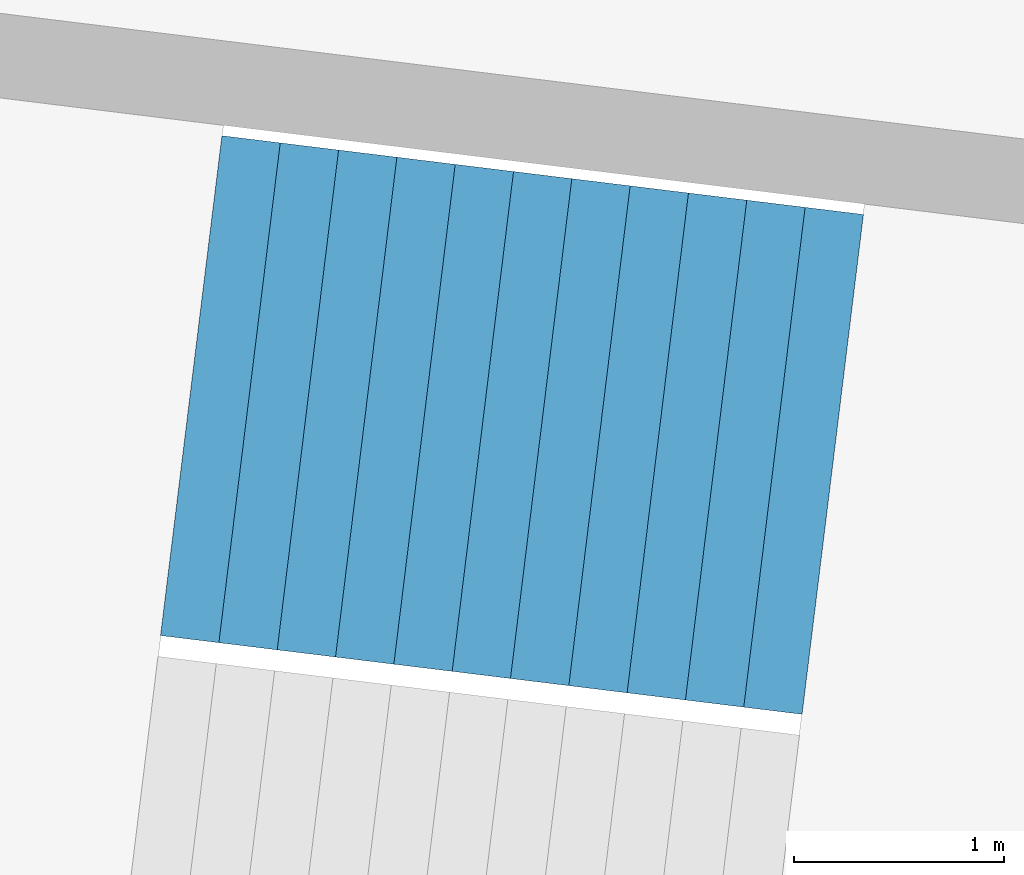
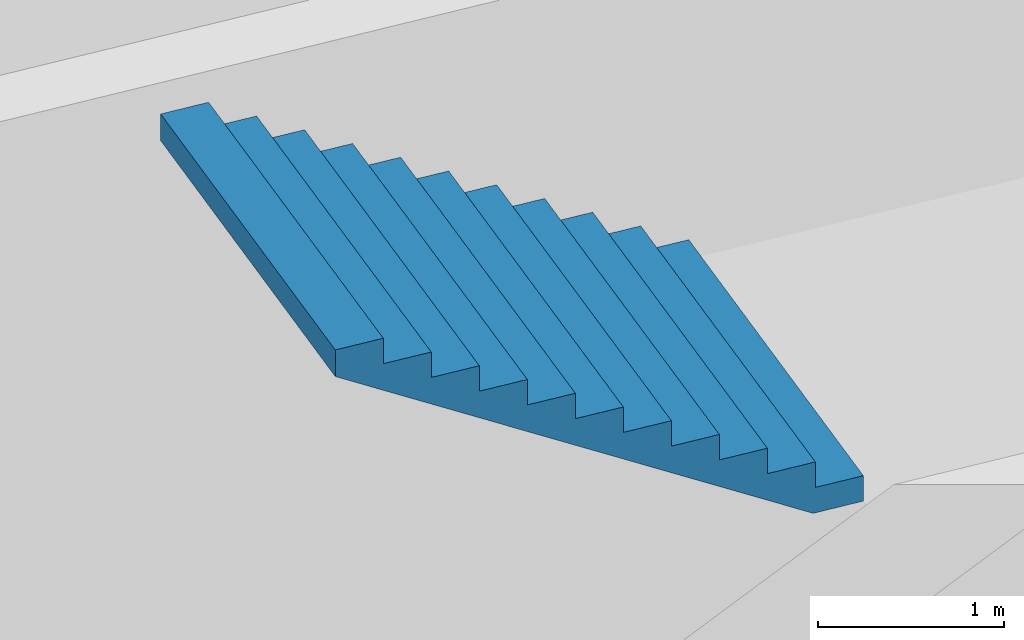
# One storey, part 57 of 74: 1 stair flight, 1 element without a shape of its own.
"""IFC4 building model written with IfcOpenShell, lengths in metres."""

from ifc_helpers import new_model, si_unit, direction, frame, origin, place, context, subcontext, project, spatial, triangles, material, type_object, element, aggregate, save


model = new_model("IFC4")

# Units and contexts
model_context = context("Model", 3, precision=1e-05, world=origin(), true_north=direction((0.0, 1.0)))
body_context = subcontext(model_context, "Body", "Model", "MODEL_VIEW")
ifc_project = project(units=[si_unit("LENGTHUNIT", "METRE"), si_unit("AREAUNIT", "SQUARE_METRE"), si_unit("VOLUMEUNIT", "CUBIC_METRE"), si_unit("PLANEANGLEUNIT", "RADIAN"), si_unit("MASSUNIT", "GRAM", prefix="KILO")], contexts=[model_context])

# Site, building, storey
site_placement = place(None, origin())
site = spatial("IfcSite", under=ifc_project, at=site_placement, CompositionType="ELEMENT")
building_placement = place(site_placement, origin())
building = spatial("IfcBuilding", under=site, at=building_placement, Name="Lantaw Convention Tower", CompositionType="ELEMENT")
storey_placement = place(building_placement, frame((0.0, 0.0, 6.5)))
storey = spatial("IfcBuildingStorey", under=building, at=storey_placement, Name="L01", CompositionType="ELEMENT", Elevation=6.5)

# Stair, stair flight
ifc_material = material(Name="Concrete C35/45", Category="concrete")
stair_type = type_object("IfcStairType", Name="Exit stair 2400 riser 166.67 in 4 flights", PredefinedType="HALF_TURN_STAIR", material=ifc_material)
stair_placement = place(storey_placement, origin())
stair = element("IfcStair", 1, at=stair_placement, inside=storey, type_object=stair_type, Name="Podium exit stair P13 L01", PredefinedType="HALF_TURN_STAIR")
stair_flight_type = type_object("IfcStairFlightType", Name="Stair flight 2400 riser 166.67", PredefinedType="STRAIGHT", material=ifc_material)
stair_flight_placement = place(storey_placement, frame((38.21923828125, -3.433349609375, 6.0), z_axis=(0.0, 0.0, 1.0), x_axis=(-0.992546151641, 0.121869343405, 0.0)))
stair_flight = element("IfcStairFlight", 2, at=stair_flight_placement, type_object=stair_flight_type, Name="P13 flight 4", NumberOfRisers=12, NumberOfTreads=11, PredefinedType="STRAIGHT", RiserHeight=0.166666667, TreadLength=0.28, context=body_context, shape_type="Tessellation", body=[
    triangles([(0.0, 1.199951171875, 0.0), (0.0, 1.199951171875, 0.166666667), (0.28, 1.199951171875, 0.0), (0.28, 1.199951171875, 0.166666667), (0.28, 1.199951171875, 0.333333334), (0.29307345806906726, 1.199951171875, 0.0), (0.29307345806906726, 1.199951171875, 0.333333334), (0.56, 1.199951171875, 0.15888484670522965), (0.56, 1.199951171875, 0.333333334), (0.56, 1.199951171875, 0.500000001), (0.8400000000000001, 1.199951171875, 0.3255515137052296), (0.8400000000000001, 1.199951171875, 0.500000001), (0.8400000000000001, 1.199951171875, 0.666666668), (1.12, 1.199951171875, 0.4922181807052296), (1.12, 1.199951171875, 0.666666668), (1.12, 1.199951171875, 0.833333335), (1.4000000000000001, 1.199951171875, 0.6588848477052296), (1.4000000000000001, 1.199951171875, 0.833333335), (1.4000000000000001, 1.199951171875, 1.000000002), (1.6800000000000002, 1.199951171875, 0.8255515147052296), (1.6800000000000002, 1.199951171875, 1.000000002), (1.6800000000000002, 1.199951171875, 1.166666669), (1.9600000000000002, 1.199951171875, 0.9922181817052296), (1.9600000000000002, 1.199951171875, 1.166666669), (1.9600000000000002, 1.199951171875, 1.333333336), (2.24, 1.199951171875, 1.1588848487052295), (2.24, 1.199951171875, 1.333333336), (2.24, 1.199951171875, 1.5000000029999998), (2.5200000000000005, 1.199951171875, 1.3255515157052296), (2.5200000000000005, 1.199951171875, 1.5000000029999998), (2.5200000000000005, 1.199951171875, 1.66666667), (2.8000000000000003, 1.199951171875, 1.4922181827052294), (2.8000000000000003, 1.199951171875, 1.66666667), (2.8000000000000003, 1.199951171875, 1.833333337), (3.08, 1.199951171875, 1.6588848497052293), (3.08, 1.199951171875, 1.833333337), (0.0, -1.199951171875, 0.0), (0.0, -1.199951171875, 0.166666667), (0.28, -1.199951171875, 0.0), (0.28, -1.199951171875, 0.166666667), (0.28, -1.199951171875, 0.333333334), (0.29307345806906726, -1.199951171875, 0.0), (0.29307345806906726, -1.199951171875, 0.333333334), (0.56, -1.199951171875, 0.15888484670522965), (0.56, -1.199951171875, 0.333333334), (0.56, -1.199951171875, 0.500000001), (0.8400000000000001, -1.199951171875, 0.3255515137052296), (0.8400000000000001, -1.199951171875, 0.500000001), (0.8400000000000001, -1.199951171875, 0.666666668), (1.12, -1.199951171875, 0.4922181807052296), (1.12, -1.199951171875, 0.666666668), (1.12, -1.199951171875, 0.833333335), (1.4000000000000001, -1.199951171875, 0.6588848477052296), (1.4000000000000001, -1.199951171875, 0.833333335), (1.4000000000000001, -1.199951171875, 1.000000002), (1.6800000000000002, -1.199951171875, 0.8255515147052296), (1.6800000000000002, -1.199951171875, 1.000000002), (1.6800000000000002, -1.199951171875, 1.166666669), (1.9600000000000002, -1.199951171875, 0.9922181817052296), (1.9600000000000002, -1.199951171875, 1.166666669), (1.9600000000000002, -1.199951171875, 1.333333336), (2.24, -1.199951171875, 1.1588848487052295), (2.24, -1.199951171875, 1.333333336), (2.24, -1.199951171875, 1.5000000029999998), (2.5200000000000005, -1.199951171875, 1.3255515157052296), (2.5200000000000005, -1.199951171875, 1.5000000029999998), (2.5200000000000005, -1.199951171875, 1.66666667), (2.8000000000000003, -1.199951171875, 1.4922181827052294), (2.8000000000000003, -1.199951171875, 1.66666667), (2.8000000000000003, -1.199951171875, 1.833333337), (3.08, -1.199951171875, 1.6588848497052293), (3.08, -1.199951171875, 1.833333337), (0.0, 0.239990234375, 0.166666667), (0.0, 0.239990234375, 0.0), (0.0, 0.1199951171875, 0.166666667), (0.0, 0.1199951171875, 0.0), (0.0, 0.0, 0.166666667), (0.0, 0.0, 0.0), (0.0, -0.1199951171875, 0.166666667), (0.0, -0.1199951171875, 0.0), (0.0, -0.239990234375, 0.166666667), (0.0, -0.239990234375, 0.0), (0.28, 0.239990234375, 0.333333334), (0.28, 0.239990234375, 0.166666667), (0.28, 0.1199951171875, 0.333333334), (0.28, 0.1199951171875, 0.166666667), (0.28, 0.0, 0.333333334), (0.28, 0.0, 0.166666667), (0.28, -0.1199951171875, 0.333333334), (0.28, -0.1199951171875, 0.166666667), (0.28, -0.239990234375, 0.333333334), (0.28, -0.239990234375, 0.166666667), (0.56, 0.239990234375, 0.500000001), (0.56, 0.239990234375, 0.333333334), (0.56, 0.1199951171875, 0.500000001), (0.56, 0.1199951171875, 0.333333334), (0.56, 0.0, 0.500000001), (0.56, 0.0, 0.333333334), (0.56, -0.1199951171875, 0.500000001), (0.56, -0.1199951171875, 0.333333334), (0.56, -0.239990234375, 0.500000001), (0.56, -0.239990234375, 0.333333334), (0.8400000000000001, 0.239990234375, 0.666666668), (0.8400000000000001, 0.239990234375, 0.500000001), (0.8400000000000001, 0.1199951171875, 0.666666668), (0.8400000000000001, 0.1199951171875, 0.500000001), (0.8400000000000001, 0.0, 0.666666668), (0.8400000000000001, 0.0, 0.500000001), (0.8400000000000001, -0.1199951171875, 0.666666668), (0.8400000000000001, -0.1199951171875, 0.500000001), (0.8400000000000001, -0.239990234375, 0.666666668), (0.8400000000000001, -0.239990234375, 0.500000001), (1.12, 0.239990234375, 0.833333335), (1.12, 0.239990234375, 0.666666668), (1.12, 0.1199951171875, 0.833333335), (1.12, 0.1199951171875, 0.666666668), (1.12, 0.0, 0.833333335), (1.12, 0.0, 0.666666668), (1.12, -0.1199951171875, 0.833333335), (1.12, -0.1199951171875, 0.666666668), (1.12, -0.239990234375, 0.833333335), (1.12, -0.239990234375, 0.666666668), (1.4000000000000001, 0.239990234375, 1.000000002), (1.4000000000000001, 0.239990234375, 0.833333335), (1.4000000000000001, 0.1199951171875, 1.000000002), (1.4000000000000001, 0.1199951171875, 0.833333335), (1.4000000000000001, 0.0, 1.000000002), (1.4000000000000001, 0.0, 0.833333335), (1.4000000000000001, -0.1199951171875, 1.000000002), (1.4000000000000001, -0.1199951171875, 0.833333335), (1.4000000000000001, -0.239990234375, 1.000000002), (1.4000000000000001, -0.239990234375, 0.833333335), (1.6800000000000002, 0.239990234375, 1.166666669), (1.6800000000000002, 0.239990234375, 1.000000002), (1.6800000000000002, 0.1199951171875, 1.166666669), (1.6800000000000002, 0.1199951171875, 1.000000002), (1.6800000000000002, 0.0, 1.166666669), (1.6800000000000002, 0.0, 1.000000002), (1.6800000000000002, -0.1199951171875, 1.166666669), (1.6800000000000002, -0.1199951171875, 1.000000002), (1.6800000000000002, -0.239990234375, 1.166666669), (1.6800000000000002, -0.239990234375, 1.000000002), (1.9600000000000002, 0.239990234375, 1.333333336), (1.9600000000000002, 0.239990234375, 1.166666669), (1.9600000000000002, 0.1199951171875, 1.333333336), (1.9600000000000002, 0.1199951171875, 1.166666669), (1.9600000000000002, 0.0, 1.333333336), (1.9600000000000002, 0.0, 1.166666669), (1.9600000000000002, -0.1199951171875, 1.333333336), (1.9600000000000002, -0.1199951171875, 1.166666669), (1.9600000000000002, -0.239990234375, 1.333333336), (1.9600000000000002, -0.239990234375, 1.166666669), (2.24, 0.239990234375, 1.5000000029999998), (2.24, 0.239990234375, 1.333333336), (2.24, 0.1199951171875, 1.5000000029999998), (2.24, 0.1199951171875, 1.333333336), (2.24, 0.0, 1.5000000029999998), (2.24, 0.0, 1.333333336), (2.24, -0.1199951171875, 1.5000000029999998), (2.24, -0.1199951171875, 1.333333336), (2.24, -0.239990234375, 1.5000000029999998), (2.24, -0.239990234375, 1.333333336), (2.5200000000000005, 0.239990234375, 1.66666667), (2.5200000000000005, 0.239990234375, 1.5000000029999998), (2.5200000000000005, 0.1199951171875, 1.66666667), (2.5200000000000005, 0.1199951171875, 1.5000000029999998), (2.5200000000000005, 0.0, 1.66666667), (2.5200000000000005, 0.0, 1.5000000029999998), (2.5200000000000005, -0.1199951171875, 1.66666667), (2.5200000000000005, -0.1199951171875, 1.5000000029999998), (2.5200000000000005, -0.239990234375, 1.66666667), (2.5200000000000005, -0.239990234375, 1.5000000029999998), (2.8000000000000003, 0.239990234375, 1.833333337), (2.8000000000000003, 0.239990234375, 1.66666667), (2.8000000000000003, 0.1199951171875, 1.833333337), (2.8000000000000003, 0.1199951171875, 1.66666667), (2.8000000000000003, 0.0, 1.833333337), (2.8000000000000003, 0.0, 1.66666667), (2.8000000000000003, -0.1199951171875, 1.833333337), (2.8000000000000003, -0.1199951171875, 1.66666667), (2.8000000000000003, -0.239990234375, 1.833333337), (2.8000000000000003, -0.239990234375, 1.66666667), (0.29307345806906726, 0.239990234375, 0.333333334), (0.29307345806906726, 0.1199951171875, 0.333333334), (0.29307345806906726, 0.0, 0.333333334), (0.29307345806906726, -0.1199951171875, 0.333333334), (0.29307345806906726, -0.239990234375, 0.333333334), (3.08, 0.239990234375, 1.833333337), (3.08, 0.1199951171875, 1.833333337), (3.08, 0.0, 1.833333337), (3.08, -0.1199951171875, 1.833333337), (3.08, -0.239990234375, 1.833333337), (3.08, 0.239990234375, 1.6588848497052293), (3.08, 0.1199951171875, 1.6588848497052293), (3.08, 0.0, 1.6588848497052293), (3.08, -0.1199951171875, 1.6588848497052293), (3.08, -0.239990234375, 1.6588848497052293), (2.8000000000000003, 0.239990234375, 1.4922181827052294), (2.8000000000000003, 0.1199951171875, 1.4922181827052294), (2.8000000000000003, 0.0, 1.4922181827052294), (2.8000000000000003, -0.1199951171875, 1.4922181827052294), (2.8000000000000003, -0.239990234375, 1.4922181827052294), (2.5200000000000005, 0.239990234375, 1.3255515157052296), (2.5200000000000005, 0.1199951171875, 1.3255515157052296), (2.5200000000000005, 0.0, 1.3255515157052296), (2.5200000000000005, -0.1199951171875, 1.3255515157052296), (2.5200000000000005, -0.239990234375, 1.3255515157052296), (2.24, 0.239990234375, 1.1588848487052295), (2.24, 0.1199951171875, 1.1588848487052295), (2.24, 0.0, 1.1588848487052295), (2.24, -0.1199951171875, 1.1588848487052295), (2.24, -0.239990234375, 1.1588848487052295), (1.9600000000000002, 0.239990234375, 0.9922181817052296), (1.9600000000000002, 0.1199951171875, 0.9922181817052296), (1.9600000000000002, 0.0, 0.9922181817052296), (1.9600000000000002, -0.1199951171875, 0.9922181817052296), (1.9600000000000002, -0.239990234375, 0.9922181817052296), (1.6800000000000002, 0.239990234375, 0.8255515147052296), (1.6800000000000002, 0.1199951171875, 0.8255515147052296), (1.6800000000000002, 0.0, 0.8255515147052296), (1.6800000000000002, -0.1199951171875, 0.8255515147052296), (1.6800000000000002, -0.239990234375, 0.8255515147052296), (1.4000000000000001, 0.239990234375, 0.6588848477052296), (1.4000000000000001, 0.1199951171875, 0.6588848477052296), (1.4000000000000001, 0.0, 0.6588848477052296), (1.4000000000000001, -0.1199951171875, 0.6588848477052296), (1.4000000000000001, -0.239990234375, 0.6588848477052296), (1.12, 0.239990234375, 0.4922181807052296), (1.12, 0.1199951171875, 0.4922181807052296), (1.12, 0.0, 0.4922181807052296), (1.12, -0.1199951171875, 0.4922181807052296), (1.12, -0.239990234375, 0.4922181807052296), (0.8400000000000001, 0.239990234375, 0.3255515137052296), (0.8400000000000001, 0.1199951171875, 0.3255515137052296), (0.8400000000000001, 0.0, 0.3255515137052296), (0.8400000000000001, -0.1199951171875, 0.3255515137052296), (0.8400000000000001, -0.239990234375, 0.3255515137052296), (0.56, 0.239990234375, 0.15888484670522965), (0.56, 0.1199951171875, 0.15888484670522965), (0.56, 0.0, 0.15888484670522965), (0.56, -0.1199951171875, 0.15888484670522965), (0.56, -0.239990234375, 0.15888484670522965), (0.29307345806906726, 0.239990234375, 0.0), (0.29307345806906726, 0.1199951171875, 0.0), (0.29307345806906726, 0.0, 0.0), (0.29307345806906726, -0.1199951171875, 0.0), (0.29307345806906726, -0.239990234375, 0.0), (0.28, 0.239990234375, 0.0), (0.28, 0.1199951171875, 0.0), (0.28, 0.0, 0.0), (0.28, -0.1199951171875, 0.0), (0.28, -0.239990234375, 0.0)], [[1, 4, 3], [1, 2, 4], [3, 4, 6], [4, 7, 6], [4, 5, 7], [6, 9, 8], [6, 7, 9], [8, 9, 11], [9, 12, 11], [9, 10, 12], [11, 12, 14], [12, 15, 14], [12, 13, 15], [14, 15, 17], [15, 18, 17], [15, 16, 18], [17, 18, 20], [18, 21, 20], [18, 19, 21], [20, 21, 23], [21, 24, 23], [21, 22, 24], [23, 24, 26], [24, 27, 26], [24, 25, 27], [26, 27, 29], [27, 30, 29], [27, 28, 30], [29, 30, 32], [30, 33, 32], [30, 31, 33], [32, 33, 35], [33, 36, 35], [33, 34, 36], [37, 39, 40], [37, 40, 38], [39, 42, 40], [40, 42, 43], [40, 43, 41], [42, 44, 45], [42, 45, 43], [44, 47, 45], [45, 47, 48], [45, 48, 46], [47, 50, 48], [48, 50, 51], [48, 51, 49], [50, 53, 51], [51, 53, 54], [51, 54, 52], [53, 56, 54], [54, 56, 57], [54, 57, 55], [56, 59, 57], [57, 59, 60], [57, 60, 58], [59, 62, 60], [60, 62, 63], [60, 63, 61], [62, 65, 63], [63, 65, 66], [63, 66, 64], [65, 68, 66], [66, 68, 69], [66, 69, 67], [68, 71, 69], [69, 71, 72], [69, 72, 70], [1, 73, 2], [1, 74, 73], [74, 75, 73], [74, 76, 75], [76, 77, 75], [76, 78, 77], [78, 79, 77], [78, 80, 79], [80, 81, 79], [80, 82, 81], [82, 38, 81], [82, 37, 38], [4, 83, 5], [4, 84, 83], [84, 85, 83], [84, 86, 85], [86, 87, 85], [86, 88, 87], [88, 89, 87], [88, 90, 89], [90, 91, 89], [90, 92, 91], [92, 41, 91], [92, 40, 41], [9, 93, 10], [9, 94, 93], [94, 95, 93], [94, 96, 95], [96, 97, 95], [96, 98, 97], [98, 99, 97], [98, 100, 99], [100, 101, 99], [100, 102, 101], [102, 46, 101], [102, 45, 46], [12, 103, 13], [12, 104, 103], [104, 105, 103], [104, 106, 105], [106, 107, 105], [106, 108, 107], [108, 109, 107], [108, 110, 109], [110, 111, 109], [110, 112, 111], [112, 49, 111], [112, 48, 49], [15, 113, 16], [15, 114, 113], [114, 115, 113], [114, 116, 115], [116, 117, 115], [116, 118, 117], [118, 119, 117], [118, 120, 119], [120, 121, 119], [120, 122, 121], [122, 52, 121], [122, 51, 52], [18, 123, 19], [18, 124, 123], [124, 125, 123], [124, 126, 125], [126, 127, 125], [126, 128, 127], [128, 129, 127], [128, 130, 129], [130, 131, 129], [130, 132, 131], [132, 55, 131], [132, 54, 55], [21, 133, 22], [21, 134, 133], [134, 135, 133], [134, 136, 135], [136, 137, 135], [136, 138, 137], [138, 139, 137], [138, 140, 139], [140, 141, 139], [140, 142, 141], [142, 58, 141], [142, 57, 58], [24, 143, 25], [24, 144, 143], [144, 145, 143], [144, 146, 145], [146, 147, 145], [146, 148, 147], [148, 149, 147], [148, 150, 149], [150, 151, 149], [150, 152, 151], [152, 61, 151], [152, 60, 61], [27, 153, 28], [27, 154, 153], [154, 155, 153], [154, 156, 155], [156, 157, 155], [156, 158, 157], [158, 159, 157], [158, 160, 159], [160, 161, 159], [160, 162, 161], [162, 64, 161], [162, 63, 64], [30, 163, 31], [30, 164, 163], [164, 165, 163], [164, 166, 165], [166, 167, 165], [166, 168, 167], [168, 169, 167], [168, 170, 169], [170, 171, 169], [170, 172, 171], [172, 67, 171], [172, 66, 67], [33, 173, 34], [33, 174, 173], [174, 175, 173], [174, 176, 175], [176, 177, 175], [176, 178, 177], [178, 179, 177], [178, 180, 179], [180, 181, 179], [180, 182, 181], [182, 70, 181], [182, 69, 70], [2, 84, 4], [2, 73, 84], [73, 86, 84], [73, 75, 86], [75, 88, 86], [75, 77, 88], [77, 90, 88], [77, 79, 90], [79, 92, 90], [79, 81, 92], [81, 40, 92], [81, 38, 40], [5, 183, 7], [5, 83, 183], [83, 184, 183], [83, 85, 184], [85, 185, 184], [85, 87, 185], [87, 186, 185], [87, 89, 186], [89, 187, 186], [89, 91, 187], [91, 43, 187], [91, 41, 43], [7, 94, 9], [7, 183, 94], [183, 96, 94], [183, 184, 96], [184, 98, 96], [184, 185, 98], [185, 100, 98], [185, 186, 100], [186, 102, 100], [186, 187, 102], [187, 45, 102], [187, 43, 45], [10, 104, 12], [10, 93, 104], [93, 106, 104], [93, 95, 106], [95, 108, 106], [95, 97, 108], [97, 110, 108], [97, 99, 110], [99, 112, 110], [99, 101, 112], [101, 48, 112], [101, 46, 48], [13, 114, 15], [13, 103, 114], [103, 116, 114], [103, 105, 116], [105, 118, 116], [105, 107, 118], [107, 120, 118], [107, 109, 120], [109, 122, 120], [109, 111, 122], [111, 51, 122], [111, 49, 51], [16, 124, 18], [16, 113, 124], [113, 126, 124], [113, 115, 126], [115, 128, 126], [115, 117, 128], [117, 130, 128], [117, 119, 130], [119, 132, 130], [119, 121, 132], [121, 54, 132], [121, 52, 54], [19, 134, 21], [19, 123, 134], [123, 136, 134], [123, 125, 136], [125, 138, 136], [125, 127, 138], [127, 140, 138], [127, 129, 140], [129, 142, 140], [129, 131, 142], [131, 57, 142], [131, 55, 57], [22, 144, 24], [22, 133, 144], [133, 146, 144], [133, 135, 146], [135, 148, 146], [135, 137, 148], [137, 150, 148], [137, 139, 150], [139, 152, 150], [139, 141, 152], [141, 60, 152], [141, 58, 60], [25, 154, 27], [25, 143, 154], [143, 156, 154], [143, 145, 156], [145, 158, 156], [145, 147, 158], [147, 160, 158], [147, 149, 160], [149, 162, 160], [149, 151, 162], [151, 63, 162], [151, 61, 63], [28, 164, 30], [28, 153, 164], [153, 166, 164], [153, 155, 166], [155, 168, 166], [155, 157, 168], [157, 170, 168], [157, 159, 170], [159, 172, 170], [159, 161, 172], [161, 66, 172], [161, 64, 66], [31, 174, 33], [31, 163, 174], [163, 176, 174], [163, 165, 176], [165, 178, 176], [165, 167, 178], [167, 180, 178], [167, 169, 180], [169, 182, 180], [169, 171, 182], [171, 69, 182], [171, 67, 69], [34, 188, 36], [34, 173, 188], [173, 189, 188], [173, 175, 189], [175, 190, 189], [175, 177, 190], [177, 191, 190], [177, 179, 191], [179, 192, 191], [179, 181, 192], [181, 72, 192], [181, 70, 72], [36, 193, 35], [36, 188, 193], [188, 194, 193], [188, 189, 194], [189, 195, 194], [189, 190, 195], [190, 196, 195], [190, 191, 196], [191, 197, 196], [191, 192, 197], [192, 71, 197], [192, 72, 71], [35, 198, 32], [35, 193, 198], [193, 199, 198], [193, 194, 199], [194, 200, 199], [194, 195, 200], [195, 201, 200], [195, 196, 201], [196, 202, 201], [196, 197, 202], [197, 68, 202], [197, 71, 68], [32, 203, 29], [32, 198, 203], [198, 204, 203], [198, 199, 204], [199, 205, 204], [199, 200, 205], [200, 206, 205], [200, 201, 206], [201, 207, 206], [201, 202, 207], [202, 65, 207], [202, 68, 65], [29, 208, 26], [29, 203, 208], [203, 209, 208], [203, 204, 209], [204, 210, 209], [204, 205, 210], [205, 211, 210], [205, 206, 211], [206, 212, 211], [206, 207, 212], [207, 62, 212], [207, 65, 62], [26, 213, 23], [26, 208, 213], [208, 214, 213], [208, 209, 214], [209, 215, 214], [209, 210, 215], [210, 216, 215], [210, 211, 216], [211, 217, 216], [211, 212, 217], [212, 59, 217], [212, 62, 59], [23, 218, 20], [23, 213, 218], [213, 219, 218], [213, 214, 219], [214, 220, 219], [214, 215, 220], [215, 221, 220], [215, 216, 221], [216, 222, 221], [216, 217, 222], [217, 56, 222], [217, 59, 56], [20, 223, 17], [20, 218, 223], [218, 224, 223], [218, 219, 224], [219, 225, 224], [219, 220, 225], [220, 226, 225], [220, 221, 226], [221, 227, 226], [221, 222, 227], [222, 53, 227], [222, 56, 53], [17, 228, 14], [17, 223, 228], [223, 229, 228], [223, 224, 229], [224, 230, 229], [224, 225, 230], [225, 231, 230], [225, 226, 231], [226, 232, 231], [226, 227, 232], [227, 50, 232], [227, 53, 50], [14, 233, 11], [14, 228, 233], [228, 234, 233], [228, 229, 234], [229, 235, 234], [229, 230, 235], [230, 236, 235], [230, 231, 236], [231, 237, 236], [231, 232, 237], [232, 47, 237], [232, 50, 47], [11, 238, 8], [11, 233, 238], [233, 239, 238], [233, 234, 239], [234, 240, 239], [234, 235, 240], [235, 241, 240], [235, 236, 241], [236, 242, 241], [236, 237, 242], [237, 44, 242], [237, 47, 44], [8, 243, 6], [8, 238, 243], [238, 244, 243], [238, 239, 244], [239, 245, 244], [239, 240, 245], [240, 246, 245], [240, 241, 246], [241, 247, 246], [241, 242, 247], [242, 42, 247], [242, 44, 42], [6, 248, 3], [6, 243, 248], [243, 249, 248], [243, 244, 249], [244, 250, 249], [244, 245, 250], [245, 251, 250], [245, 246, 251], [246, 252, 251], [246, 247, 252], [247, 39, 252], [247, 42, 39], [3, 74, 1], [3, 248, 74], [248, 76, 74], [248, 249, 76], [249, 78, 76], [249, 250, 78], [250, 80, 78], [250, 251, 80], [251, 82, 80], [251, 252, 82], [252, 37, 82], [252, 39, 37]], closed=True),
])
aggregate(stair, [stair_flight])

save(model, "model.ifc")
